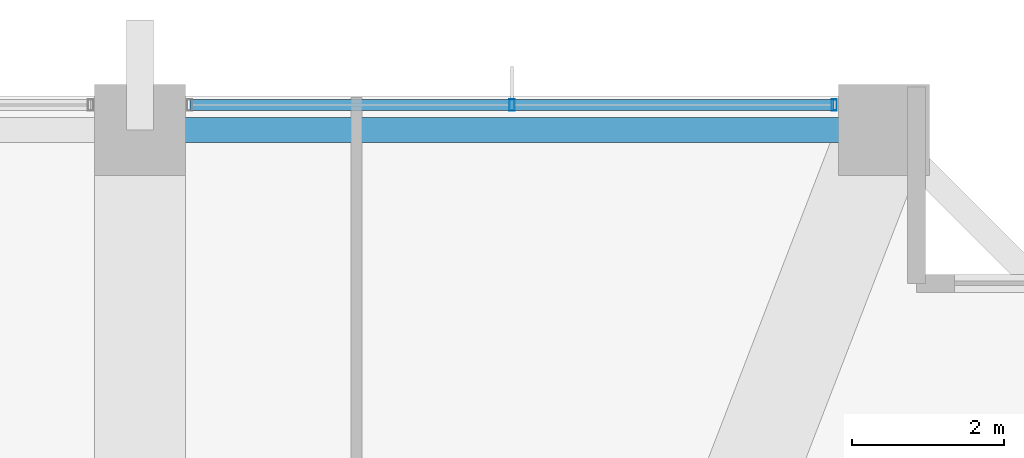
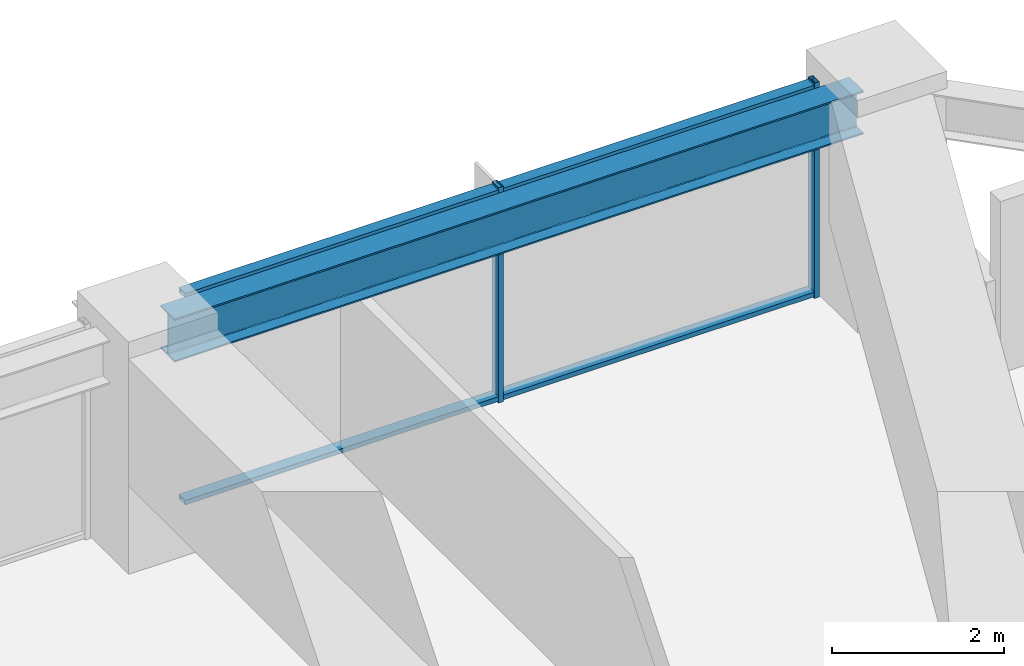
# One storey, part 27 of 39: 4 members, 1 beam, 1 element without a shape of its own.
"""IFC4 building model written with IfcOpenShell, lengths in metres."""

from ifc_helpers import new_model, si_unit, direction, frame, origin, origin_2d, place, context, subcontext, project, spatial, hollow_rectangle, i_section, extrude, material, material_profile, profile_set, type_object, element, aggregate, save


model = new_model("IFC4")

# Units and contexts
model_context = context("Model", 3, precision=1e-05, world=origin(), true_north=direction((0.0, 1.0)))
body_context = subcontext(model_context, "Body", "Model", "MODEL_VIEW")
ifc_project = project(units=[si_unit("LENGTHUNIT", "METRE"), si_unit("AREAUNIT", "SQUARE_METRE"), si_unit("VOLUMEUNIT", "CUBIC_METRE"), si_unit("PLANEANGLEUNIT", "RADIAN"), si_unit("MASSUNIT", "GRAM", prefix="KILO")], contexts=[model_context])

# Site, building, storey
site_placement = place(None, origin())
site = spatial("IfcSite", under=ifc_project, at=site_placement, CompositionType="ELEMENT")
building_placement = place(site_placement, origin())
building = spatial("IfcBuilding", under=site, at=building_placement, Name="Kolvaren Belvedere", CompositionType="ELEMENT")
storey_placement = place(building_placement, frame((0.0, 0.0, 40.300048828125)))
storey = spatial("IfcBuildingStorey", under=building, at=storey_placement, Name="L11", CompositionType="ELEMENT", Elevation=40.300048828125)

# Beam
ifc_material_1 = material(Name="Structural steel ASTM A992 Grade 50", Category="steel")
ifc_material_profile_1 = material_profile(ifc_material_1, i_section(OverallWidth=0.324951171875, OverallDepth=0.615966796875, WebThickness=0.013916015625, FlangeThickness=0.021484375, FilletRadius=0.02001953125, at=origin_2d()), Name="W24X117")
ifc_profile_set_1 = profile_set([ifc_material_profile_1], Name="Structural steel ASTM A992 Grade 50")
beam_type = type_object("IfcBeamType", Name="BM-SPAN-W24X117", PredefinedType="SPANDREL", material=ifc_profile_set_1)
beam_placement = place(storey_placement, frame((14.1298828125, 21.550048828125, 2.751953125), z_axis=(-1.0, 0.0, 0.0), x_axis=(0.0, -1.0, 0.0)))
element("IfcBeam", 1, at=beam_placement, inside=storey, type_object=beam_type, Name="L11 Perimeter Spandrel N4-N3", PredefinedType="SPANDREL", context=body_context, shape_type="SweptSolid", body=[
    extrude(i_section(OverallWidth=0.324951171875, OverallDepth=0.615966796875, WebThickness=0.013916015625, FlangeThickness=0.021484375, FilletRadius=0.02001953125, at=origin_2d()), origin(), (0.0, 0.0, 1.0), 9.259765625),
])

# Curtain wall, members
ifc_material_2 = material(Name="Anodised pale-metal aluminium AA 6063-T6", Category="aluminium")
curtain_wall_type = type_object("IfcCurtainWallType", Name="CW-Z1-LOW", PredefinedType="NOTDEFINED", material=ifc_material_2)
curtain_wall_placement = place(storey_placement, origin())
curtain_wall = element("IfcCurtainWall", 2, at=curtain_wall_placement, inside=storey, type_object=curtain_wall_type, Name="L11 Unitised Curtain Wall FCW-L11-N-B3", PredefinedType="NOTDEFINED")
ifc_material_3 = material(Name="Anodised pale-metal aluminium AA 6063-T6", Category="aluminium")
ifc_material_profile_2 = material_profile(ifc_material_3, hollow_rectangle(XDim=0.070068359375, YDim=0.14990234375, WallThickness=0.004150390625, at=origin_2d()), Name="ALU-MUL-150X70")
ifc_profile_set_2 = profile_set([ifc_material_profile_2], Name="Anodised pale-metal aluminium AA 6063-T6")
member_type_1 = type_object("IfcMemberType", Name="CW-MUL-150", PredefinedType="MULLION", material=ifc_profile_set_2)
member_1_placement = place(storey_placement, frame((9.5, 21.8798828125, 0.0), z_axis=(0.0, 0.0, 1.0), x_axis=(1.0, 0.0, 0.0)))
member_1 = element("IfcMember", 3, at=member_1_placement, type_object=member_type_1, Name="FCW-L11-N-B3 Unitised Mullion 2", PredefinedType="MULLION", context=body_context, shape_type="SweptSolid", body=[
    extrude(hollow_rectangle(XDim=0.070068359375, YDim=0.14990234375, WallThickness=0.004150390625, at=origin_2d()), origin(), (0.0, 0.0, 1.0), 3.06005859375),
])
member_2_placement = place(storey_placement, frame((13.7451171875, 21.8798828125, 0.0), z_axis=(0.0, 0.0, 1.0), x_axis=(1.0, 0.0, 0.0)))
member_2 = element("IfcMember", 4, at=member_2_placement, type_object=member_type_1, Name="FCW-L11-N-B3 Unitised Mullion 3", PredefinedType="MULLION", context=body_context, shape_type="SweptSolid", body=[
    extrude(hollow_rectangle(XDim=0.070068359375, YDim=0.14990234375, WallThickness=0.004150390625, at=origin_2d()), origin(), (0.0, 0.0, 1.0), 3.06005859375),
])
ifc_material_4 = material(Name="Anodised pale-metal aluminium AA 6063-T6", Category="aluminium")
ifc_material_profile_3 = material_profile(ifc_material_4, hollow_rectangle(XDim=0.06494140625, YDim=0.14990234375, WallThickness=0.00390625, at=origin_2d()), Name="ALU-TRN-150X65")
ifc_profile_set_3 = profile_set([ifc_material_profile_3], Name="Anodised pale-metal aluminium AA 6063-T6")
member_type_2 = type_object("IfcMemberType", Name="CW-TRN-150", PredefinedType="USERDEFINED", material=ifc_profile_set_3)
member_3_placement = place(storey_placement, frame((5.2548828125, 21.8798828125, 0.06005859375), z_axis=(1.0, 0.0, 0.0), x_axis=(0.0, 0.0, 1.0)))
member_3 = element("IfcMember", 5, at=member_3_placement, type_object=member_type_2, Name="FCW-L11-N-B3 Sill Transom", ObjectType="TRANSOM", PredefinedType="USERDEFINED", context=body_context, shape_type="SweptSolid", body=[
    extrude(hollow_rectangle(XDim=0.06494140625, YDim=0.14990234375, WallThickness=0.00390625, at=origin_2d()), origin(), (0.0, 0.0, 1.0), 8.490234375),
])
member_4_placement = place(storey_placement, frame((5.2548828125, 21.8798828125, 3.0), z_axis=(1.0, 0.0, 0.0), x_axis=(0.0, 0.0, 1.0)))
member_4 = element("IfcMember", 6, at=member_4_placement, type_object=member_type_2, Name="FCW-L11-N-B3 Head Transom", ObjectType="TRANSOM", PredefinedType="USERDEFINED", context=body_context, shape_type="SweptSolid", body=[
    extrude(hollow_rectangle(XDim=0.06494140625, YDim=0.14990234375, WallThickness=0.00390625, at=origin_2d()), origin(), (0.0, 0.0, 1.0), 8.490234375),
])
aggregate(curtain_wall, [member_1, member_2, member_3, member_4])

save(model, "model.ifc")
